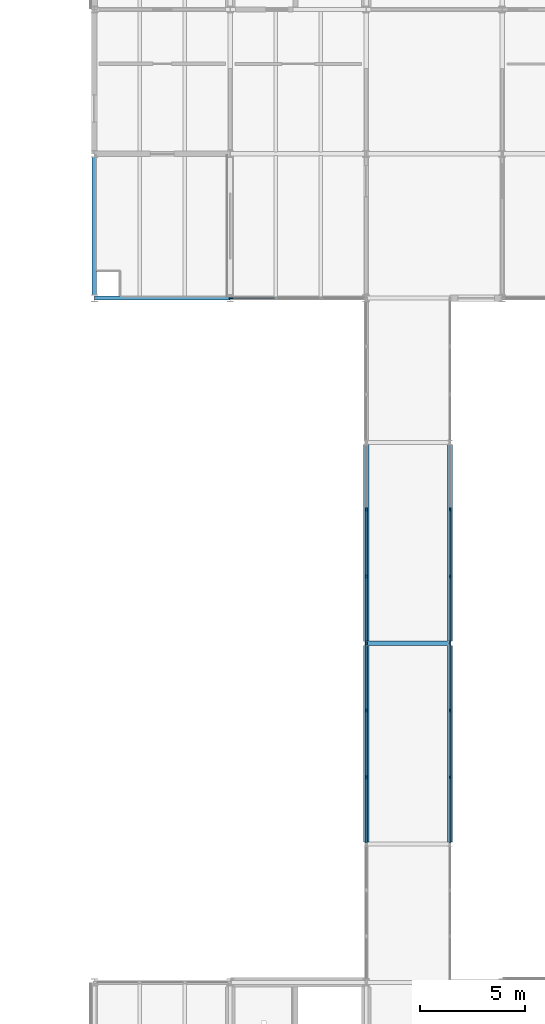
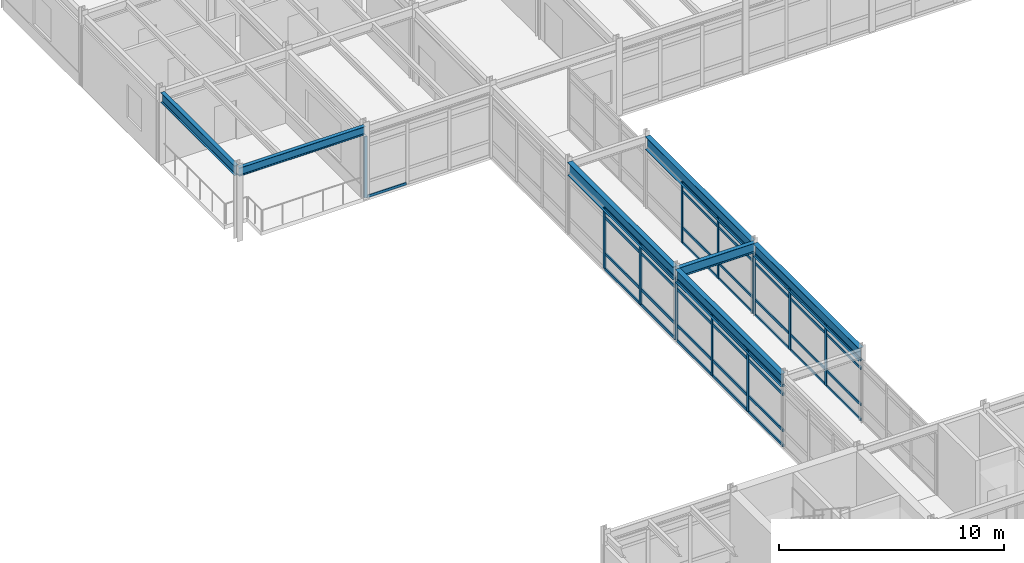
# One storey, part 72 of 144: 54 members, 7 beams, 5 elements without a shape of their own.
"""IFC4 building model written with IfcOpenShell, lengths in metres."""

from ifc_helpers import new_model, si_unit, direction, frame, origin, origin_2d, place, context, subcontext, project, spatial, rectangle, i_section, extrude, material, layer, layer_set, material_profile, profile_set, type_object, element, aggregate, save


model = new_model("IFC4")

# Units and contexts
model_context = context("Model", 3, precision=1e-05, world=origin(), true_north=direction((0.0, 1.0)))
body_context = subcontext(model_context, "Body", "Model", "MODEL_VIEW")
ifc_project = project(units=[si_unit("LENGTHUNIT", "METRE"), si_unit("AREAUNIT", "SQUARE_METRE"), si_unit("VOLUMEUNIT", "CUBIC_METRE"), si_unit("PLANEANGLEUNIT", "RADIAN"), si_unit("MASSUNIT", "GRAM", prefix="KILO")], contexts=[model_context])

# Site, building, storey
site_placement = place(None, origin())
site = spatial("IfcSite", under=ifc_project, at=site_placement, CompositionType="ELEMENT")
building_placement = place(site_placement, origin())
building = spatial("IfcBuilding", under=site, at=building_placement, Name="Trelmorton Wharf Fire Station", CompositionType="ELEMENT")
storey_placement = place(building_placement, frame((0.0, 0.0, 5.39990234375)))
storey = spatial("IfcBuildingStorey", under=building, at=storey_placement, Name="L01", CompositionType="ELEMENT", Elevation=5.39990234375)

# Beams
ifc_material_1 = material(Name="Steel Grade 350", Category="steel")
ifc_material_profile_1 = material_profile(ifc_material_1, i_section(OverallWidth=0.208984375, OverallDepth=0.528076171875, WebThickness=0.009521484375, FlangeThickness=0.01318359375, FilletRadius=0.013916015625, at=origin_2d()), Name="530UB82.0")
ifc_profile_set_1 = profile_set([ifc_material_profile_1], Name="Steel Grade 350")
beam_type_1 = type_object("IfcBeamType", Name="BM_530UB82", PredefinedType="BEAM", material=ifc_profile_set_1)
beam_1_placement = place(storey_placement, frame((117.00390625, 43.800048828125, 3.666015625), z_axis=(1.0, 0.0, 0.0), x_axis=(0.0, 1.0, 0.0)))
element("IfcBeam", 1, at=beam_1_placement, inside=storey, type_object=beam_type_1, Name="BM-L01-0482", PredefinedType="BEAM", context=body_context, shape_type="SweptSolid", body=[
    extrude(i_section(OverallWidth=0.208984375, OverallDepth=0.528076171875, WebThickness=0.009521484375, FlangeThickness=0.01318359375, FilletRadius=0.013916015625, at=origin_2d()), origin(), (0.0, 0.0, 1.0), 3.9921875),
])
ifc_material_profile_2 = material_profile(ifc_material_1, i_section(OverallWidth=0.208984375, OverallDepth=0.532958984375, WebThickness=0.01025390625, FlangeThickness=0.015625, FilletRadius=0.013916015625, at=origin_2d()), Name="530UB92.4")
ifc_profile_set_2 = profile_set([ifc_material_profile_2], Name="Steel Grade 350")
beam_type_2 = type_object("IfcBeamType", Name="BM_530UB92", PredefinedType="BEAM", material=ifc_profile_set_2)
beam_2_placement = place(storey_placement, frame((104.0, 60.45654296875, 3.66357421875), z_axis=(0.0, 1.0, 0.0), x_axis=(-1.0, 0.0, 0.0)))
element("IfcBeam", 2, at=beam_2_placement, inside=storey, type_object=beam_type_2, Name="BM-L01-0619", PredefinedType="BEAM", context=body_context, shape_type="SweptSolid", body=[
    extrude(i_section(OverallWidth=0.208984375, OverallDepth=0.532958984375, WebThickness=0.01025390625, FlangeThickness=0.015625, FilletRadius=0.013916015625, at=origin_2d()), origin(), (0.0, 0.0, 1.0), 6.5869140625),
])
ifc_material_profile_3 = material_profile(ifc_material_1, i_section(OverallWidth=0.25, OverallDepth=0.699951171875, WebThickness=0.010009765625, FlangeThickness=0.01611328125, at=origin_2d()), Name="700WB130")
ifc_profile_set_3 = profile_set([ifc_material_profile_3], Name="Steel Grade 350")
beam_type_3 = type_object("IfcBeamType", Name="BM_700WB130", PredefinedType="BEAM", material=ifc_profile_set_3)
beam_3_placement = place(storey_placement, frame((117.0, 34.301025390625, 3.580078125), z_axis=(0.0, 1.0, 0.0), x_axis=(-1.0, 0.0, 0.0)))
element("IfcBeam", 3, at=beam_3_placement, inside=storey, type_object=beam_type_3, Name="BM-L01-0632", PredefinedType="BEAM", context=body_context, shape_type="SweptSolid", body=[
    extrude(i_section(OverallWidth=0.25, OverallDepth=0.699951171875, WebThickness=0.010009765625, FlangeThickness=0.01611328125, at=origin_2d()), origin(), (0.0, 0.0, 1.0), 9.39794921875),
])
beam_4_placement = place(storey_placement, frame((117.0, 43.90087890625, 3.580078125), z_axis=(0.0, 1.0, 0.0), x_axis=(-1.0, 0.0, 0.0)))
element("IfcBeam", 4, at=beam_4_placement, inside=storey, type_object=beam_type_3, Name="BM-L01-0633", PredefinedType="BEAM", context=body_context, shape_type="SweptSolid", body=[
    extrude(i_section(OverallWidth=0.25, OverallDepth=0.699951171875, WebThickness=0.010009765625, FlangeThickness=0.01611328125, at=origin_2d()), origin(), (0.0, 0.0, 1.0), 9.398193359375),
])
beam_5_placement = place(storey_placement, frame((121.0, 34.301025390625, 3.580078125), z_axis=(0.0, 1.0, 0.0), x_axis=(-1.0, 0.0, 0.0)))
element("IfcBeam", 5, at=beam_5_placement, inside=storey, type_object=beam_type_3, Name="BM-L01-0638", PredefinedType="BEAM", context=body_context, shape_type="SweptSolid", body=[
    extrude(i_section(OverallWidth=0.25, OverallDepth=0.699951171875, WebThickness=0.010009765625, FlangeThickness=0.01611328125, at=origin_2d()), origin(), (0.0, 0.0, 1.0), 9.39794921875),
])
beam_6_placement = place(storey_placement, frame((121.0, 43.90087890625, 3.580078125), z_axis=(0.0, 1.0, 0.0), x_axis=(-1.0, 0.0, 0.0)))
element("IfcBeam", 6, at=beam_6_placement, inside=storey, type_object=beam_type_3, Name="BM-L01-0639", PredefinedType="BEAM", context=body_context, shape_type="SweptSolid", body=[
    extrude(i_section(OverallWidth=0.25, OverallDepth=0.699951171875, WebThickness=0.010009765625, FlangeThickness=0.01611328125, at=origin_2d()), origin(), (0.0, 0.0, 1.0), 9.398193359375),
])

# Curtain wall, member
ifc_material_2 = material(Name="Anodised aluminium AW-6063", Category="aluminium")
ifc_layer_1 = layer(ifc_material_2, 0.159912109375)
ifc_layer_set_1 = layer_set([ifc_layer_1], Name="Anodised aluminium AW-6063")
curtain_wall_type_1 = type_object("IfcCurtainWallType", Name="CW_CHIC_A", PredefinedType="USERDEFINED", material=ifc_layer_set_1)
curtain_wall_1_placement = place(storey_placement, origin())
curtain_wall_1 = element("IfcCurtainWall", 7, at=curtain_wall_1_placement, inside=storey, type_object=curtain_wall_type_1, Name="CW-V4-L01-123", ObjectType="CHICAGO BAY CURTAIN WALL", PredefinedType="USERDEFINED")
ifc_material_profile_4 = material_profile(ifc_material_2, rectangle(XDim=0.06494140625, YDim=0.159912109375, at=origin_2d()), Name="ALU-65x160")
ifc_profile_set_4 = profile_set([ifc_material_profile_4], Name="Anodised aluminium AW-6063")
member_type_1 = type_object("IfcMemberType", Name="CWM_65x160", PredefinedType="MULLION", material=ifc_profile_set_4)
member_1_placement = place(storey_placement, frame((110.534912109375, 60.300048828125, 0.0), z_axis=(0.0, 0.0, 1.0), x_axis=(0.0, -1.0, 0.0)))
member_1 = element("IfcMember", 8, at=member_1_placement, type_object=member_type_1, Name="CW1 mullion 4", PredefinedType="MULLION", context=body_context, shape_type="SweptSolid", body=[
    extrude(rectangle(XDim=0.06494140625, YDim=0.159912109375, at=origin_2d()), origin(), (0.0, 0.0, 1.0), 3.320068359375),
])

# Curtain wall, members
ifc_layer_2 = layer(ifc_material_2, 0.139892578125)
ifc_layer_set_2 = layer_set([ifc_layer_2], Name="Anodised aluminium AW-6063")
curtain_wall_type_2 = type_object("IfcCurtainWallType", Name="CW_BRDG_A", PredefinedType="USERDEFINED", material=ifc_layer_set_2)
curtain_wall_2_placement = place(storey_placement, origin())
curtain_wall_2 = element("IfcCurtainWall", 9, at=curtain_wall_2_placement, inside=storey, type_object=curtain_wall_type_2, Name="CW-BR-L01-163", ObjectType="UNITISED CURTAIN WALL", PredefinedType="USERDEFINED")
member_2_placement = place(storey_placement, frame((121.0, 43.764892578125, 0.0), z_axis=(0.0, 0.0, 1.0), x_axis=(1.0, 0.0, 0.0)))
member_2 = element("IfcMember", 10, at=member_2_placement, type_object=member_type_1, Name="CW4 mullion 1", PredefinedType="MULLION", context=body_context, shape_type="SweptSolid", body=[
    extrude(rectangle(XDim=0.06494140625, YDim=0.159912109375, at=origin_2d()), origin(), (0.0, 0.0, 1.0), 3.320068359375),
])
member_3_placement = place(storey_placement, frame((121.0, 40.598388671875, 0.0), z_axis=(0.0, 0.0, 1.0), x_axis=(1.0, 0.0, 0.0)))
member_3 = element("IfcMember", 11, at=member_3_placement, type_object=member_type_1, Name="CW4 mullion 2", PredefinedType="MULLION", context=body_context, shape_type="SweptSolid", body=[
    extrude(rectangle(XDim=0.06494140625, YDim=0.159912109375, at=origin_2d()), origin(), (0.0, 0.0, 1.0), 3.320068359375),
])
member_4_placement = place(storey_placement, frame((121.0, 37.401611328125, 0.0), z_axis=(0.0, 0.0, 1.0), x_axis=(1.0, 0.0, 0.0)))
member_4 = element("IfcMember", 12, at=member_4_placement, type_object=member_type_1, Name="CW4 mullion 3", PredefinedType="MULLION", context=body_context, shape_type="SweptSolid", body=[
    extrude(rectangle(XDim=0.06494140625, YDim=0.159912109375, at=origin_2d()), origin(), (0.0, 0.0, 1.0), 3.320068359375),
])

curtain_wall_3_placement = place(storey_placement, origin())
curtain_wall_3 = element("IfcCurtainWall", 13, at=curtain_wall_3_placement, inside=storey, type_object=curtain_wall_type_2, Name="CW-BR-L01-165", ObjectType="UNITISED CURTAIN WALL", PredefinedType="USERDEFINED")
member_5_placement = place(storey_placement, frame((121.0, 50.1982421875, 0.0), z_axis=(0.0, 0.0, 1.0), x_axis=(1.0, 0.0, 0.0)))
member_5 = element("IfcMember", 14, at=member_5_placement, type_object=member_type_1, Name="CW4 mullion 2", PredefinedType="MULLION", context=body_context, shape_type="SweptSolid", body=[
    extrude(rectangle(XDim=0.06494140625, YDim=0.159912109375, at=origin_2d()), origin(), (0.0, 0.0, 1.0), 3.320068359375),
])
member_6_placement = place(storey_placement, frame((121.0, 47.001708984375, 0.0), z_axis=(0.0, 0.0, 1.0), x_axis=(1.0, 0.0, 0.0)))
member_6 = element("IfcMember", 15, at=member_6_placement, type_object=member_type_1, Name="CW4 mullion 3", PredefinedType="MULLION", context=body_context, shape_type="SweptSolid", body=[
    extrude(rectangle(XDim=0.06494140625, YDim=0.159912109375, at=origin_2d()), origin(), (0.0, 0.0, 1.0), 3.320068359375),
])
member_7_placement = place(storey_placement, frame((121.0, 43.8349609375, 0.0), z_axis=(0.0, 0.0, 1.0), x_axis=(1.0, 0.0, 0.0)))
member_7 = element("IfcMember", 16, at=member_7_placement, type_object=member_type_1, Name="CW4 mullion 4", PredefinedType="MULLION", context=body_context, shape_type="SweptSolid", body=[
    extrude(rectangle(XDim=0.06494140625, YDim=0.159912109375, at=origin_2d()), origin(), (0.0, 0.0, 1.0), 3.320068359375),
])

curtain_wall_4_placement = place(storey_placement, origin())
curtain_wall_4 = element("IfcCurtainWall", 17, at=curtain_wall_4_placement, inside=storey, type_object=curtain_wall_type_2, Name="CW-BR-L01-162", ObjectType="UNITISED CURTAIN WALL", PredefinedType="USERDEFINED")
ifc_material_profile_5 = material_profile(ifc_material_2, rectangle(XDim=0.074951171875, YDim=0.175048828125, at=origin_2d()), Name="ALU-75x175")
ifc_profile_set_5 = profile_set([ifc_material_profile_5], Name="Anodised aluminium AW-6063")
member_type_2 = type_object("IfcMemberType", Name="CWM_75x175", PredefinedType="MULLION", material=ifc_profile_set_5)
member_8_placement = place(storey_placement, frame((117.0, 37.401611328125, 0.0), z_axis=(0.0, 0.0, 1.0), x_axis=(-1.0, 0.0, 0.0)))
member_8 = element("IfcMember", 18, at=member_8_placement, type_object=member_type_2, Name="CW4 mullion 2", PredefinedType="MULLION", context=body_context, shape_type="SweptSolid", body=[
    extrude(rectangle(XDim=0.074951171875, YDim=0.175048828125, at=origin_2d()), origin(), (0.0, 0.0, 1.0), 3.320068359375),
])
member_9_placement = place(storey_placement, frame((117.0, 40.598388671875, 0.0), z_axis=(0.0, 0.0, 1.0), x_axis=(-1.0, 0.0, 0.0)))
member_9 = element("IfcMember", 19, at=member_9_placement, type_object=member_type_2, Name="CW4 mullion 3", PredefinedType="MULLION", context=body_context, shape_type="SweptSolid", body=[
    extrude(rectangle(XDim=0.074951171875, YDim=0.175048828125, at=origin_2d()), origin(), (0.0, 0.0, 1.0), 3.320068359375),
])
member_10_placement = place(storey_placement, frame((117.0, 43.764892578125, 0.0), z_axis=(0.0, 0.0, 1.0), x_axis=(-1.0, 0.0, 0.0)))
member_10 = element("IfcMember", 20, at=member_10_placement, type_object=member_type_2, Name="CW4 mullion 4", PredefinedType="MULLION", context=body_context, shape_type="SweptSolid", body=[
    extrude(rectangle(XDim=0.074951171875, YDim=0.175048828125, at=origin_2d()), origin(), (0.0, 0.0, 1.0), 3.320068359375),
])

curtain_wall_5_placement = place(storey_placement, origin())
curtain_wall_5 = element("IfcCurtainWall", 21, at=curtain_wall_5_placement, inside=storey, type_object=curtain_wall_type_2, Name="CW-BR-L01-164", ObjectType="UNITISED CURTAIN WALL", PredefinedType="USERDEFINED")
member_11_placement = place(storey_placement, frame((117.0, 43.8349609375, 0.0), z_axis=(0.0, 0.0, 1.0), x_axis=(-1.0, 0.0, 0.0)))
member_11 = element("IfcMember", 22, at=member_11_placement, type_object=member_type_2, Name="CW4 mullion 1", PredefinedType="MULLION", context=body_context, shape_type="SweptSolid", body=[
    extrude(rectangle(XDim=0.074951171875, YDim=0.175048828125, at=origin_2d()), origin(), (0.0, 0.0, 1.0), 3.320068359375),
])
member_12_placement = place(storey_placement, frame((117.0, 47.001708984375, 0.0), z_axis=(0.0, 0.0, 1.0), x_axis=(-1.0, 0.0, 0.0)))
member_12 = element("IfcMember", 23, at=member_12_placement, type_object=member_type_2, Name="CW4 mullion 2", PredefinedType="MULLION", context=body_context, shape_type="SweptSolid", body=[
    extrude(rectangle(XDim=0.074951171875, YDim=0.175048828125, at=origin_2d()), origin(), (0.0, 0.0, 1.0), 3.320068359375),
])
member_13_placement = place(storey_placement, frame((117.0, 50.1982421875, 0.0), z_axis=(0.0, 0.0, 1.0), x_axis=(-1.0, 0.0, 0.0)))
member_13 = element("IfcMember", 24, at=member_13_placement, type_object=member_type_2, Name="CW4 mullion 3", PredefinedType="MULLION", context=body_context, shape_type="SweptSolid", body=[
    extrude(rectangle(XDim=0.074951171875, YDim=0.175048828125, at=origin_2d()), origin(), (0.0, 0.0, 1.0), 3.320068359375),
])

# Member
ifc_material_profile_6 = material_profile(ifc_material_2, rectangle(XDim=0.06494140625, YDim=0.139892578125, at=origin_2d()), Name="ALU-65x140")
ifc_profile_set_6 = profile_set([ifc_material_profile_6], Name="Anodised aluminium AW-6063")
member_type_3 = type_object("IfcMemberType", Name="CWT_65x140", PredefinedType="USERDEFINED", material=ifc_profile_set_6)
member_14_placement = place(storey_placement, frame((112.638427734375, 60.300048828125, 0.030029296875), z_axis=(-1.0, 0.0, 0.0), x_axis=(0.0, -1.0, 0.0)))
member_14 = element("IfcMember", 25, at=member_14_placement, type_object=member_type_3, Name="CW1 transom 3.1", ObjectType="TRANSOM", PredefinedType="USERDEFINED", context=body_context, shape_type="SweptSolid", body=[
    extrude(rectangle(XDim=0.06494140625, YDim=0.139892578125, at=origin_2d()), origin(), (0.0, 0.0, 1.0), 2.073486328125),
])

aggregate(curtain_wall_1, [member_1, member_14])

member_15_placement = place(storey_placement, frame((121.0, 43.735107421875, 0.030029296875), z_axis=(0.0, -1.0, 0.0), x_axis=(1.0, 0.0, 0.0)))
member_15 = element("IfcMember", 26, at=member_15_placement, type_object=member_type_3, Name="CW4 transom 1.1", ObjectType="TRANSOM", PredefinedType="USERDEFINED", context=body_context, shape_type="SweptSolid", body=[
    extrude(rectangle(XDim=0.06494140625, YDim=0.139892578125, at=origin_2d()), origin(), (0.0, 0.0, 1.0), 3.106689453125),
])

member_16_placement = place(storey_placement, frame((121.0, 43.735107421875, 0.85009765625), z_axis=(0.0, -1.0, 0.0), x_axis=(1.0, 0.0, 0.0)))
member_16 = element("IfcMember", 27, at=member_16_placement, type_object=member_type_3, Name="CW4 transom 1.2", ObjectType="TRANSOM", PredefinedType="USERDEFINED", context=body_context, shape_type="SweptSolid", body=[
    extrude(rectangle(XDim=0.06494140625, YDim=0.139892578125, at=origin_2d()), origin(), (0.0, 0.0, 1.0), 3.106689453125),
])

member_17_placement = place(storey_placement, frame((121.0, 43.735107421875, 2.820068359375), z_axis=(0.0, -1.0, 0.0), x_axis=(1.0, 0.0, 0.0)))
member_17 = element("IfcMember", 28, at=member_17_placement, type_object=member_type_3, Name="CW4 transom 1.3", ObjectType="TRANSOM", PredefinedType="USERDEFINED", context=body_context, shape_type="SweptSolid", body=[
    extrude(rectangle(XDim=0.06494140625, YDim=0.139892578125, at=origin_2d()), origin(), (0.0, 0.0, 1.0), 3.106689453125),
])

member_18_placement = place(storey_placement, frame((121.0, 43.735107421875, 3.2900390625), z_axis=(0.0, -1.0, 0.0), x_axis=(1.0, 0.0, 0.0)))
member_18 = element("IfcMember", 29, at=member_18_placement, type_object=member_type_3, Name="CW4 transom 1.4", ObjectType="TRANSOM", PredefinedType="USERDEFINED", context=body_context, shape_type="SweptSolid", body=[
    extrude(rectangle(XDim=0.06494140625, YDim=0.139892578125, at=origin_2d()), origin(), (0.0, 0.0, 1.0), 3.106689453125),
])

member_19_placement = place(storey_placement, frame((121.0, 40.568359375, 0.030029296875), z_axis=(0.0, -1.0, 0.0), x_axis=(1.0, 0.0, 0.0)))
member_19 = element("IfcMember", 30, at=member_19_placement, type_object=member_type_3, Name="CW4 transom 2.1", ObjectType="TRANSOM", PredefinedType="USERDEFINED", context=body_context, shape_type="SweptSolid", body=[
    extrude(rectangle(XDim=0.06494140625, YDim=0.139892578125, at=origin_2d()), origin(), (0.0, 0.0, 1.0), 3.13671875),
])

member_20_placement = place(storey_placement, frame((121.0, 40.568359375, 0.85009765625), z_axis=(0.0, -1.0, 0.0), x_axis=(1.0, 0.0, 0.0)))
member_20 = element("IfcMember", 31, at=member_20_placement, type_object=member_type_3, Name="CW4 transom 2.2", ObjectType="TRANSOM", PredefinedType="USERDEFINED", context=body_context, shape_type="SweptSolid", body=[
    extrude(rectangle(XDim=0.06494140625, YDim=0.139892578125, at=origin_2d()), origin(), (0.0, 0.0, 1.0), 3.13671875),
])

member_21_placement = place(storey_placement, frame((121.0, 40.568359375, 2.820068359375), z_axis=(0.0, -1.0, 0.0), x_axis=(1.0, 0.0, 0.0)))
member_21 = element("IfcMember", 32, at=member_21_placement, type_object=member_type_3, Name="CW4 transom 2.3", ObjectType="TRANSOM", PredefinedType="USERDEFINED", context=body_context, shape_type="SweptSolid", body=[
    extrude(rectangle(XDim=0.06494140625, YDim=0.139892578125, at=origin_2d()), origin(), (0.0, 0.0, 1.0), 3.13671875),
])

member_22_placement = place(storey_placement, frame((121.0, 40.568359375, 3.2900390625), z_axis=(0.0, -1.0, 0.0), x_axis=(1.0, 0.0, 0.0)))
member_22 = element("IfcMember", 33, at=member_22_placement, type_object=member_type_3, Name="CW4 transom 2.4", ObjectType="TRANSOM", PredefinedType="USERDEFINED", context=body_context, shape_type="SweptSolid", body=[
    extrude(rectangle(XDim=0.06494140625, YDim=0.139892578125, at=origin_2d()), origin(), (0.0, 0.0, 1.0), 3.13671875),
])

member_23_placement = place(storey_placement, frame((121.0, 37.37158203125, 0.030029296875), z_axis=(0.0, -1.0, 0.0), x_axis=(1.0, 0.0, 0.0)))
member_23 = element("IfcMember", 34, at=member_23_placement, type_object=member_type_3, Name="CW4 transom 3.1", ObjectType="TRANSOM", PredefinedType="USERDEFINED", context=body_context, shape_type="SweptSolid", body=[
    extrude(rectangle(XDim=0.06494140625, YDim=0.139892578125, at=origin_2d()), origin(), (0.0, 0.0, 1.0), 3.106689453125),
])

member_24_placement = place(storey_placement, frame((121.0, 37.37158203125, 0.85009765625), z_axis=(0.0, -1.0, 0.0), x_axis=(1.0, 0.0, 0.0)))
member_24 = element("IfcMember", 35, at=member_24_placement, type_object=member_type_3, Name="CW4 transom 3.2", ObjectType="TRANSOM", PredefinedType="USERDEFINED", context=body_context, shape_type="SweptSolid", body=[
    extrude(rectangle(XDim=0.06494140625, YDim=0.139892578125, at=origin_2d()), origin(), (0.0, 0.0, 1.0), 3.106689453125),
])

member_25_placement = place(storey_placement, frame((121.0, 37.37158203125, 2.820068359375), z_axis=(0.0, -1.0, 0.0), x_axis=(1.0, 0.0, 0.0)))
member_25 = element("IfcMember", 36, at=member_25_placement, type_object=member_type_3, Name="CW4 transom 3.3", ObjectType="TRANSOM", PredefinedType="USERDEFINED", context=body_context, shape_type="SweptSolid", body=[
    extrude(rectangle(XDim=0.06494140625, YDim=0.139892578125, at=origin_2d()), origin(), (0.0, 0.0, 1.0), 3.106689453125),
])

member_26_placement = place(storey_placement, frame((121.0, 37.37158203125, 3.2900390625), z_axis=(0.0, -1.0, 0.0), x_axis=(1.0, 0.0, 0.0)))
member_26 = element("IfcMember", 37, at=member_26_placement, type_object=member_type_3, Name="CW4 transom 3.4", ObjectType="TRANSOM", PredefinedType="USERDEFINED", context=body_context, shape_type="SweptSolid", body=[
    extrude(rectangle(XDim=0.06494140625, YDim=0.139892578125, at=origin_2d()), origin(), (0.0, 0.0, 1.0), 3.106689453125),
])

aggregate(curtain_wall_2, [member_2, member_3, member_4, member_15, member_16, member_17, member_18, member_19, member_20, member_21, member_22, member_23, member_24, member_25, member_26])

member_27_placement = place(storey_placement, frame((121.0, 50.168212890625, 0.030029296875), z_axis=(0.0, -1.0, 0.0), x_axis=(1.0, 0.0, 0.0)))
member_27 = element("IfcMember", 38, at=member_27_placement, type_object=member_type_3, Name="CW4 transom 2.1", ObjectType="TRANSOM", PredefinedType="USERDEFINED", context=body_context, shape_type="SweptSolid", body=[
    extrude(rectangle(XDim=0.06494140625, YDim=0.139892578125, at=origin_2d()), origin(), (0.0, 0.0, 1.0), 3.136474609375),
])

member_28_placement = place(storey_placement, frame((121.0, 50.168212890625, 0.85009765625), z_axis=(0.0, -1.0, 0.0), x_axis=(1.0, 0.0, 0.0)))
member_28 = element("IfcMember", 39, at=member_28_placement, type_object=member_type_3, Name="CW4 transom 2.2", ObjectType="TRANSOM", PredefinedType="USERDEFINED", context=body_context, shape_type="SweptSolid", body=[
    extrude(rectangle(XDim=0.06494140625, YDim=0.139892578125, at=origin_2d()), origin(), (0.0, 0.0, 1.0), 3.136474609375),
])

member_29_placement = place(storey_placement, frame((121.0, 50.168212890625, 2.820068359375), z_axis=(0.0, -1.0, 0.0), x_axis=(1.0, 0.0, 0.0)))
member_29 = element("IfcMember", 40, at=member_29_placement, type_object=member_type_3, Name="CW4 transom 2.3", ObjectType="TRANSOM", PredefinedType="USERDEFINED", context=body_context, shape_type="SweptSolid", body=[
    extrude(rectangle(XDim=0.06494140625, YDim=0.139892578125, at=origin_2d()), origin(), (0.0, 0.0, 1.0), 3.136474609375),
])

member_30_placement = place(storey_placement, frame((121.0, 50.168212890625, 3.2900390625), z_axis=(0.0, -1.0, 0.0), x_axis=(1.0, 0.0, 0.0)))
member_30 = element("IfcMember", 41, at=member_30_placement, type_object=member_type_3, Name="CW4 transom 2.4", ObjectType="TRANSOM", PredefinedType="USERDEFINED", context=body_context, shape_type="SweptSolid", body=[
    extrude(rectangle(XDim=0.06494140625, YDim=0.139892578125, at=origin_2d()), origin(), (0.0, 0.0, 1.0), 3.136474609375),
])

member_31_placement = place(storey_placement, frame((121.0, 46.9716796875, 0.030029296875), z_axis=(0.0, -1.0, 0.0), x_axis=(1.0, 0.0, 0.0)))
member_31 = element("IfcMember", 42, at=member_31_placement, type_object=member_type_3, Name="CW4 transom 3.1", ObjectType="TRANSOM", PredefinedType="USERDEFINED", context=body_context, shape_type="SweptSolid", body=[
    extrude(rectangle(XDim=0.06494140625, YDim=0.139892578125, at=origin_2d()), origin(), (0.0, 0.0, 1.0), 3.106689453125),
])

member_32_placement = place(storey_placement, frame((121.0, 46.9716796875, 0.85009765625), z_axis=(0.0, -1.0, 0.0), x_axis=(1.0, 0.0, 0.0)))
member_32 = element("IfcMember", 43, at=member_32_placement, type_object=member_type_3, Name="CW4 transom 3.2", ObjectType="TRANSOM", PredefinedType="USERDEFINED", context=body_context, shape_type="SweptSolid", body=[
    extrude(rectangle(XDim=0.06494140625, YDim=0.139892578125, at=origin_2d()), origin(), (0.0, 0.0, 1.0), 3.106689453125),
])

member_33_placement = place(storey_placement, frame((121.0, 46.9716796875, 2.820068359375), z_axis=(0.0, -1.0, 0.0), x_axis=(1.0, 0.0, 0.0)))
member_33 = element("IfcMember", 44, at=member_33_placement, type_object=member_type_3, Name="CW4 transom 3.3", ObjectType="TRANSOM", PredefinedType="USERDEFINED", context=body_context, shape_type="SweptSolid", body=[
    extrude(rectangle(XDim=0.06494140625, YDim=0.139892578125, at=origin_2d()), origin(), (0.0, 0.0, 1.0), 3.106689453125),
])

member_34_placement = place(storey_placement, frame((121.0, 46.9716796875, 3.2900390625), z_axis=(0.0, -1.0, 0.0), x_axis=(1.0, 0.0, 0.0)))
member_34 = element("IfcMember", 45, at=member_34_placement, type_object=member_type_3, Name="CW4 transom 3.4", ObjectType="TRANSOM", PredefinedType="USERDEFINED", context=body_context, shape_type="SweptSolid", body=[
    extrude(rectangle(XDim=0.06494140625, YDim=0.139892578125, at=origin_2d()), origin(), (0.0, 0.0, 1.0), 3.106689453125),
])

aggregate(curtain_wall_3, [member_5, member_6, member_7, member_27, member_28, member_29, member_30, member_31, member_32, member_33, member_34])

ifc_material_profile_7 = material_profile(ifc_material_2, rectangle(XDim=0.074951171875, YDim=0.155029296875, at=origin_2d()), Name="ALU-75x155")
ifc_profile_set_7 = profile_set([ifc_material_profile_7], Name="Anodised aluminium AW-6063")
member_type_4 = type_object("IfcMemberType", Name="CWT_75x155", PredefinedType="USERDEFINED", material=ifc_profile_set_7)
member_35_placement = place(storey_placement, frame((117.0, 34.264892578125, 0.030029296875), z_axis=(0.0, 1.0, 0.0), x_axis=(-1.0, 0.0, 0.0)))
member_35 = element("IfcMember", 46, at=member_35_placement, type_object=member_type_4, Name="CW4 transom 1.1", ObjectType="TRANSOM", PredefinedType="USERDEFINED", context=body_context, shape_type="SweptSolid", body=[
    extrude(rectangle(XDim=0.074951171875, YDim=0.155029296875, at=origin_2d()), origin(), (0.0, 0.0, 1.0), 3.106689453125),
])

member_36_placement = place(storey_placement, frame((117.0, 34.264892578125, 0.85009765625), z_axis=(0.0, 1.0, 0.0), x_axis=(-1.0, 0.0, 0.0)))
member_36 = element("IfcMember", 47, at=member_36_placement, type_object=member_type_4, Name="CW4 transom 1.2", ObjectType="TRANSOM", PredefinedType="USERDEFINED", context=body_context, shape_type="SweptSolid", body=[
    extrude(rectangle(XDim=0.074951171875, YDim=0.155029296875, at=origin_2d()), origin(), (0.0, 0.0, 1.0), 3.106689453125),
])

member_37_placement = place(storey_placement, frame((117.0, 34.264892578125, 2.820068359375), z_axis=(0.0, 1.0, 0.0), x_axis=(-1.0, 0.0, 0.0)))
member_37 = element("IfcMember", 48, at=member_37_placement, type_object=member_type_4, Name="CW4 transom 1.3", ObjectType="TRANSOM", PredefinedType="USERDEFINED", context=body_context, shape_type="SweptSolid", body=[
    extrude(rectangle(XDim=0.074951171875, YDim=0.155029296875, at=origin_2d()), origin(), (0.0, 0.0, 1.0), 3.106689453125),
])

member_38_placement = place(storey_placement, frame((117.0, 34.264892578125, 3.2900390625), z_axis=(0.0, 1.0, 0.0), x_axis=(-1.0, 0.0, 0.0)))
member_38 = element("IfcMember", 49, at=member_38_placement, type_object=member_type_4, Name="CW4 transom 1.4", ObjectType="TRANSOM", PredefinedType="USERDEFINED", context=body_context, shape_type="SweptSolid", body=[
    extrude(rectangle(XDim=0.074951171875, YDim=0.155029296875, at=origin_2d()), origin(), (0.0, 0.0, 1.0), 3.106689453125),
])

member_39_placement = place(storey_placement, frame((117.0, 37.431640625, 0.030029296875), z_axis=(0.0, 1.0, 0.0), x_axis=(-1.0, 0.0, 0.0)))
member_39 = element("IfcMember", 50, at=member_39_placement, type_object=member_type_4, Name="CW4 transom 2.1", ObjectType="TRANSOM", PredefinedType="USERDEFINED", context=body_context, shape_type="SweptSolid", body=[
    extrude(rectangle(XDim=0.074951171875, YDim=0.155029296875, at=origin_2d()), origin(), (0.0, 0.0, 1.0), 3.13671875),
])

member_40_placement = place(storey_placement, frame((117.0, 37.431640625, 0.85009765625), z_axis=(0.0, 1.0, 0.0), x_axis=(-1.0, 0.0, 0.0)))
member_40 = element("IfcMember", 51, at=member_40_placement, type_object=member_type_4, Name="CW4 transom 2.2", ObjectType="TRANSOM", PredefinedType="USERDEFINED", context=body_context, shape_type="SweptSolid", body=[
    extrude(rectangle(XDim=0.074951171875, YDim=0.155029296875, at=origin_2d()), origin(), (0.0, 0.0, 1.0), 3.13671875),
])

member_41_placement = place(storey_placement, frame((117.0, 37.431640625, 2.820068359375), z_axis=(0.0, 1.0, 0.0), x_axis=(-1.0, 0.0, 0.0)))
member_41 = element("IfcMember", 52, at=member_41_placement, type_object=member_type_4, Name="CW4 transom 2.3", ObjectType="TRANSOM", PredefinedType="USERDEFINED", context=body_context, shape_type="SweptSolid", body=[
    extrude(rectangle(XDim=0.074951171875, YDim=0.155029296875, at=origin_2d()), origin(), (0.0, 0.0, 1.0), 3.13671875),
])

member_42_placement = place(storey_placement, frame((117.0, 37.431640625, 3.2900390625), z_axis=(0.0, 1.0, 0.0), x_axis=(-1.0, 0.0, 0.0)))
member_42 = element("IfcMember", 53, at=member_42_placement, type_object=member_type_4, Name="CW4 transom 2.4", ObjectType="TRANSOM", PredefinedType="USERDEFINED", context=body_context, shape_type="SweptSolid", body=[
    extrude(rectangle(XDim=0.074951171875, YDim=0.155029296875, at=origin_2d()), origin(), (0.0, 0.0, 1.0), 3.13671875),
])

member_43_placement = place(storey_placement, frame((117.0, 40.62841796875, 0.030029296875), z_axis=(0.0, 1.0, 0.0), x_axis=(-1.0, 0.0, 0.0)))
member_43 = element("IfcMember", 54, at=member_43_placement, type_object=member_type_4, Name="CW4 transom 3.1", ObjectType="TRANSOM", PredefinedType="USERDEFINED", context=body_context, shape_type="SweptSolid", body=[
    extrude(rectangle(XDim=0.074951171875, YDim=0.155029296875, at=origin_2d()), origin(), (0.0, 0.0, 1.0), 3.106689453125),
])

member_44_placement = place(storey_placement, frame((117.0, 40.62841796875, 0.85009765625), z_axis=(0.0, 1.0, 0.0), x_axis=(-1.0, 0.0, 0.0)))
member_44 = element("IfcMember", 55, at=member_44_placement, type_object=member_type_4, Name="CW4 transom 3.2", ObjectType="TRANSOM", PredefinedType="USERDEFINED", context=body_context, shape_type="SweptSolid", body=[
    extrude(rectangle(XDim=0.074951171875, YDim=0.155029296875, at=origin_2d()), origin(), (0.0, 0.0, 1.0), 3.106689453125),
])

member_45_placement = place(storey_placement, frame((117.0, 40.62841796875, 2.820068359375), z_axis=(0.0, 1.0, 0.0), x_axis=(-1.0, 0.0, 0.0)))
member_45 = element("IfcMember", 56, at=member_45_placement, type_object=member_type_4, Name="CW4 transom 3.3", ObjectType="TRANSOM", PredefinedType="USERDEFINED", context=body_context, shape_type="SweptSolid", body=[
    extrude(rectangle(XDim=0.074951171875, YDim=0.155029296875, at=origin_2d()), origin(), (0.0, 0.0, 1.0), 3.106689453125),
])

member_46_placement = place(storey_placement, frame((117.0, 40.62841796875, 3.2900390625), z_axis=(0.0, 1.0, 0.0), x_axis=(-1.0, 0.0, 0.0)))
member_46 = element("IfcMember", 57, at=member_46_placement, type_object=member_type_4, Name="CW4 transom 3.4", ObjectType="TRANSOM", PredefinedType="USERDEFINED", context=body_context, shape_type="SweptSolid", body=[
    extrude(rectangle(XDim=0.074951171875, YDim=0.155029296875, at=origin_2d()), origin(), (0.0, 0.0, 1.0), 3.106689453125),
])

aggregate(curtain_wall_4, [member_8, member_9, member_10, member_35, member_36, member_37, member_38, member_39, member_40, member_41, member_42, member_43, member_44, member_45, member_46])

member_47_placement = place(storey_placement, frame((117.0, 43.864990234375, 0.030029296875), z_axis=(0.0, 1.0, 0.0), x_axis=(-1.0, 0.0, 0.0)))
member_47 = element("IfcMember", 58, at=member_47_placement, type_object=member_type_4, Name="CW4 transom 1.1", ObjectType="TRANSOM", PredefinedType="USERDEFINED", context=body_context, shape_type="SweptSolid", body=[
    extrude(rectangle(XDim=0.074951171875, YDim=0.155029296875, at=origin_2d()), origin(), (0.0, 0.0, 1.0), 3.106689453125),
])

member_48_placement = place(storey_placement, frame((117.0, 43.864990234375, 0.85009765625), z_axis=(0.0, 1.0, 0.0), x_axis=(-1.0, 0.0, 0.0)))
member_48 = element("IfcMember", 59, at=member_48_placement, type_object=member_type_4, Name="CW4 transom 1.2", ObjectType="TRANSOM", PredefinedType="USERDEFINED", context=body_context, shape_type="SweptSolid", body=[
    extrude(rectangle(XDim=0.074951171875, YDim=0.155029296875, at=origin_2d()), origin(), (0.0, 0.0, 1.0), 3.106689453125),
])

member_49_placement = place(storey_placement, frame((117.0, 43.864990234375, 2.820068359375), z_axis=(0.0, 1.0, 0.0), x_axis=(-1.0, 0.0, 0.0)))
member_49 = element("IfcMember", 60, at=member_49_placement, type_object=member_type_4, Name="CW4 transom 1.3", ObjectType="TRANSOM", PredefinedType="USERDEFINED", context=body_context, shape_type="SweptSolid", body=[
    extrude(rectangle(XDim=0.074951171875, YDim=0.155029296875, at=origin_2d()), origin(), (0.0, 0.0, 1.0), 3.106689453125),
])

member_50_placement = place(storey_placement, frame((117.0, 43.864990234375, 3.2900390625), z_axis=(0.0, 1.0, 0.0), x_axis=(-1.0, 0.0, 0.0)))
member_50 = element("IfcMember", 61, at=member_50_placement, type_object=member_type_4, Name="CW4 transom 1.4", ObjectType="TRANSOM", PredefinedType="USERDEFINED", context=body_context, shape_type="SweptSolid", body=[
    extrude(rectangle(XDim=0.074951171875, YDim=0.155029296875, at=origin_2d()), origin(), (0.0, 0.0, 1.0), 3.106689453125),
])

member_51_placement = place(storey_placement, frame((117.0, 47.03173828125, 0.030029296875), z_axis=(0.0, 1.0, 0.0), x_axis=(-1.0, 0.0, 0.0)))
member_51 = element("IfcMember", 62, at=member_51_placement, type_object=member_type_4, Name="CW4 transom 2.1", ObjectType="TRANSOM", PredefinedType="USERDEFINED", context=body_context, shape_type="SweptSolid", body=[
    extrude(rectangle(XDim=0.074951171875, YDim=0.155029296875, at=origin_2d()), origin(), (0.0, 0.0, 1.0), 3.136474609375),
])

member_52_placement = place(storey_placement, frame((117.0, 47.03173828125, 0.85009765625), z_axis=(0.0, 1.0, 0.0), x_axis=(-1.0, 0.0, 0.0)))
member_52 = element("IfcMember", 63, at=member_52_placement, type_object=member_type_4, Name="CW4 transom 2.2", ObjectType="TRANSOM", PredefinedType="USERDEFINED", context=body_context, shape_type="SweptSolid", body=[
    extrude(rectangle(XDim=0.074951171875, YDim=0.155029296875, at=origin_2d()), origin(), (0.0, 0.0, 1.0), 3.136474609375),
])

member_53_placement = place(storey_placement, frame((117.0, 47.03173828125, 2.820068359375), z_axis=(0.0, 1.0, 0.0), x_axis=(-1.0, 0.0, 0.0)))
member_53 = element("IfcMember", 64, at=member_53_placement, type_object=member_type_4, Name="CW4 transom 2.3", ObjectType="TRANSOM", PredefinedType="USERDEFINED", context=body_context, shape_type="SweptSolid", body=[
    extrude(rectangle(XDim=0.074951171875, YDim=0.155029296875, at=origin_2d()), origin(), (0.0, 0.0, 1.0), 3.136474609375),
])

member_54_placement = place(storey_placement, frame((117.0, 47.03173828125, 3.2900390625), z_axis=(0.0, 1.0, 0.0), x_axis=(-1.0, 0.0, 0.0)))
member_54 = element("IfcMember", 65, at=member_54_placement, type_object=member_type_4, Name="CW4 transom 2.4", ObjectType="TRANSOM", PredefinedType="USERDEFINED", context=body_context, shape_type="SweptSolid", body=[
    extrude(rectangle(XDim=0.074951171875, YDim=0.155029296875, at=origin_2d()), origin(), (0.0, 0.0, 1.0), 3.136474609375),
])

aggregate(curtain_wall_5, [member_11, member_12, member_13, member_47, member_48, member_49, member_50, member_51, member_52, member_53, member_54])

# Beam
ifc_material_profile_8 = material_profile(ifc_material_1, i_section(OverallWidth=0.18994140625, OverallDepth=0.45703125, WebThickness=0.009033203125, FlangeThickness=0.014404296875, FilletRadius=0.011474609375, at=origin_2d()), Name="460UB74.6")
ifc_profile_set_8 = profile_set([ifc_material_profile_8], Name="Steel Grade 350")
beam_type_4 = type_object("IfcBeamType", Name="SP_460UB75", PredefinedType="SPANDREL", material=ifc_profile_set_8)
beam_7_placement = place(storey_placement, frame((104.0048828125, 60.300048828125, 3.70166015625), z_axis=(1.0, 0.0, 0.0), x_axis=(0.0, 1.0, 0.0)))
element("IfcBeam", 66, at=beam_7_placement, inside=storey, type_object=beam_type_4, Name="BM-L01-0497", PredefinedType="SPANDREL", context=body_context, shape_type="SweptSolid", body=[
    extrude(i_section(OverallWidth=0.18994140625, OverallDepth=0.45703125, WebThickness=0.009033203125, FlangeThickness=0.014404296875, FilletRadius=0.011474609375, at=origin_2d()), origin(), (0.0, 0.0, 1.0), 6.490234375),
])

save(model, "model.ifc")
